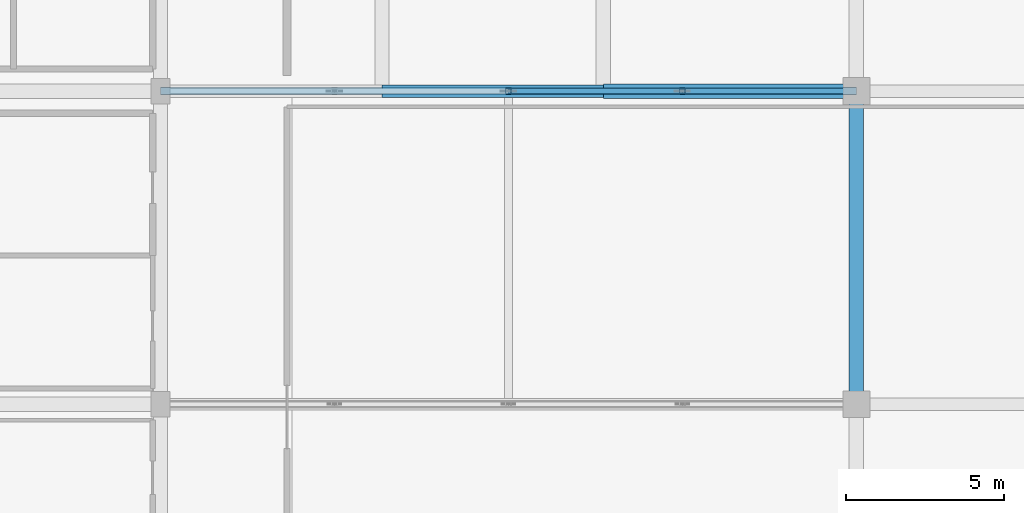
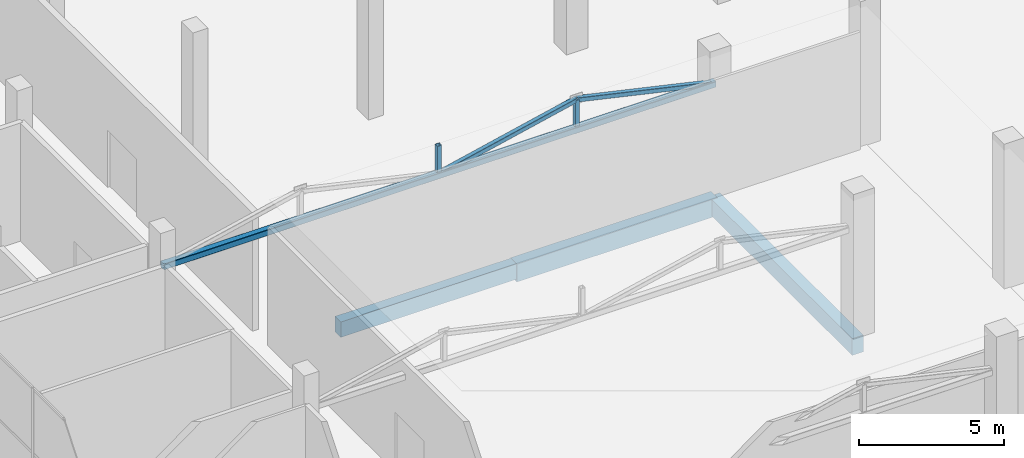
# One storey, part 19 of 46: 5 members, 3 beams.
"""IFC4 building model written with IfcOpenShell, lengths in metres."""

import ifcopenshell
import ifcopenshell.guid

model = None  # the IFC model being written
_history = None  # IfcOwnerHistory: only IFC2X3 demands one
_inside = {}  # id of a spatial element -> (the spatial element, [elements in it])
_under = {}  # id of a project, library or spatial element -> (it, [spatial elements below it])
_declared = {}  # id of a project -> (the project, [libraries it declares])
_typed = {}  # id of a type object -> (the type object, [elements of that type])
_made_of = {}  # id of a material, layer set ... -> (it, [elements and type objects made of it])


def new_model(schema):
    """Start an empty IFC model of exactly this schema.

    Asked for "IFC4X3", IfcOpenShell would pick the latest addendum, in which some entities
    have other attributes; the version numbers below select the first issue.
    IFC2X3 requires an IfcOwnerHistory on every rooted entity: one is made here for all.
    """
    global model, _history
    if schema == "IFC4X3":
        model = ifcopenshell.file(schema_version=(4, 3, 0, 0))
    else:
        model = ifcopenshell.file(schema=schema)
    _inside.clear()
    _under.clear()
    _declared.clear()
    _typed.clear()
    _made_of.clear()
    _history = None
    if model.schema == "IFC2X3":
        org = make("IfcOrganization", Name="unknown")
        user = make(
            "IfcPersonAndOrganization",
            ThePerson=make("IfcPerson", FamilyName="unknown"),
            TheOrganization=org,
        )
        app = make(
            "IfcApplication",
            ApplicationDeveloper=org,
            Version="unknown",
            ApplicationFullName="unknown",
            ApplicationIdentifier="unknown",
        )
        _history = make(
            "IfcOwnerHistory",
            OwningUser=user,
            OwningApplication=app,
            ChangeAction="ADDED",
            CreationDate=0,
        )
    return model


def make(cls, **values):
    """One entity of the class cls with the attributes given. An attribute that is None is left unset."""
    return model.create_entity(
        cls, **{name: value for name, value in values.items() if value is not None}
    )


def rooted(cls, **values):
    """An entity with a GlobalId (a new one), such as an element, a storey or a relation."""
    return make(cls, GlobalId=ifcopenshell.guid.new(), OwnerHistory=_history, **values)


def si_unit(unit_type, name, prefix=None):
    """IfcSIUnit, for example si_unit("LENGTHUNIT", "METRE", prefix="MILLI")."""
    return make("IfcSIUnit", UnitType=unit_type, Prefix=prefix, Name=name)


def assignment(units):
    """IfcUnitAssignment: the units of a project."""
    return None if units is None else make("IfcUnitAssignment", Units=units)


def point(xyz):
    """IfcCartesianPoint."""
    return None if xyz is None else make("IfcCartesianPoint", Coordinates=xyz)


def direction(xyz):
    """IfcDirection."""
    return None if xyz is None else make("IfcDirection", DirectionRatios=xyz)


def frame(location, z_axis=None, x_axis=None):
    """IfcAxis2Placement3D, a coordinate frame: its origin and axes. An axis left out is left unset."""
    return make(
        "IfcAxis2Placement3D",
        Location=point(location),
        Axis=direction(z_axis),
        RefDirection=direction(x_axis),
    )


def frame_2d(location, x_axis=None):
    """IfcAxis2Placement2D, a coordinate frame in the plane: its origin and x axis."""
    return make(
        "IfcAxis2Placement2D", Location=point(location), RefDirection=direction(x_axis)
    )


def origin():
    """The frame at (0, 0, 0) with its axes left unset."""
    return frame((0.0, 0.0, 0.0))


def origin_2d():
    """The frame at (0, 0) in the plane with its x axis left unset."""
    return frame_2d((0.0, 0.0))


def place(relative_to, where):
    """IfcLocalPlacement: puts the frame where relative to a parent placement (None: the world)."""
    return make(
        "IfcLocalPlacement", PlacementRelTo=relative_to, RelativePlacement=where
    )


def context(
    kind, dimensions, precision=None, world=None, true_north=None, identifier=None
):
    """IfcGeometricRepresentationContext, for example the 3D "Model" context."""
    return make(
        "IfcGeometricRepresentationContext",
        ContextIdentifier=identifier,
        ContextType=kind,
        CoordinateSpaceDimension=dimensions,
        Precision=precision,
        WorldCoordinateSystem=world,
        TrueNorth=true_north,
    )


def subcontext(parent, identifier, kind, view, scale=None):
    """IfcGeometricRepresentationSubContext, for example "Body" below "Model"."""
    return make(
        "IfcGeometricRepresentationSubContext",
        ContextIdentifier=identifier,
        ContextType=kind,
        ParentContext=parent,
        TargetScale=scale,
        TargetView=view,
    )


def project(units=None, contexts=None):
    """IfcProject with its units and contexts."""
    return rooted(
        "IfcProject",
        Name="project",
        RepresentationContexts=contexts,
        UnitsInContext=assignment(units),
    )


def spatial(cls, under=None, at=None, **own):
    """A site, building, storey or space (cls), placed at a placement, below another one or the project."""
    s = rooted(cls, ObjectPlacement=at, **own)
    if under is not None:
        _under.setdefault(under.id(), (under, []))[1].append(s)
    return s


def profile(cls, at=None, kind="AREA", **sizes):
    """A parametric profile (cls). Its sizes go by their IFC names, for example OverallWidth=200.0."""
    return make(cls, ProfileType=kind, Position=at, **sizes)


def rectangle(**sizes):
    """IfcRectangleProfileDef."""
    return profile("IfcRectangleProfileDef", **sizes)


def hollow_rectangle(**sizes):
    """IfcRectangleHollowProfileDef."""
    return profile("IfcRectangleHollowProfileDef", **sizes)


def extrude(swept, where, along, depth):
    """IfcExtrudedAreaSolid: the profile swept, set in the frame where, extruded along a direction by depth."""
    return make(
        "IfcExtrudedAreaSolid",
        SweptArea=swept,
        Position=where,
        ExtrudedDirection=direction(along),
        Depth=depth,
    )


def shape(context_of_items, identifier, shape_type, items):
    """IfcShapeRepresentation: the items that make up one representation, for example the "Body"."""
    return make(
        "IfcShapeRepresentation",
        ContextOfItems=context_of_items,
        RepresentationIdentifier=identifier,
        RepresentationType=shape_type,
        Items=items,
    )


def material(Name=None, Category=None):
    """IfcMaterial."""
    return make("IfcMaterial", Name=Name, Category=Category)


def material_profile(
    of_material, cross_section, Name=None, Category=None, Priority=None
):
    """IfcMaterialProfile: a cross section and its material."""
    return make(
        "IfcMaterialProfile",
        Name=Name,
        Material=of_material,
        Profile=cross_section,
        Priority=Priority,
        Category=Category,
    )


def profile_set(profiles, Name=None, composite=None):
    """IfcMaterialProfileSet."""
    return make(
        "IfcMaterialProfileSet",
        Name=Name,
        MaterialProfiles=profiles,
        CompositeProfile=composite,
    )


def made_of(thing, what):
    """Note that an element or type object is made of a material, layer set ...; save() writes the relation."""
    if what is not None:
        _made_of.setdefault(what.id(), (what, []))[1].append(thing)
    return thing


def type_object(cls, material=None, **own):
    """A type object (cls), such as IfcWallType, which elements share."""
    return made_of(rooted(cls, **own), material)


def element(
    cls,
    number,
    at=None,
    inside=None,
    cuts=None,
    type_object=None,
    material=None,
    context=None,
    identifier="Body",
    shape_type=None,
    held_by="IfcProductDefinitionShape",
    body=None,
    shapes=None,
    **own,
):
    """One element of the class cls, such as IfcWall. Its Tag is "e" and its number.

    at: its placement. inside: the storey or other place that contains it. cuts: it is an
    opening in that element (IfcRelVoidsElement). A single representation is given by context,
    identifier, shape_type and body (its items); several are given by shapes. held_by: the class
    of the entity that holds the representations. save() writes the other relations.
    """
    e = rooted(cls, Tag="e%d" % number, ObjectPlacement=at, **own)
    if body is not None:
        shapes = [shape(context, identifier, shape_type, body)]
    if shapes is not None:
        e.Representation = make(held_by, Representations=shapes)
    if inside is not None:
        _inside.setdefault(inside.id(), (inside, []))[1].append(e)
    if cuts is not None:
        rooted(
            "IfcRelVoidsElement", RelatingBuildingElement=cuts, RelatedOpeningElement=e
        )
    if type_object is not None:
        _typed.setdefault(type_object.id(), (type_object, []))[1].append(e)
    return made_of(e, material)


def aggregate(whole, parts):
    """IfcRelAggregates: a whole, such as a stair, and the parts it consists of."""
    return rooted("IfcRelAggregates", RelatingObject=whole, RelatedObjects=parts)


def save(model, path):
    """Write the relations noted so far, then the file.

    IfcRelAggregates (storeys below a building ...), IfcRelContainedInSpatialStructure (elements
    in a storey), IfcRelDefinesByType, IfcRelAssociatesMaterial and IfcRelDeclares: one each for
    every whole, place, type object, material and project.
    """
    for whole, parts in _under.values():
        aggregate(whole, parts)
    for where, things in _inside.values():
        rooted(
            "IfcRelContainedInSpatialStructure",
            RelatedElements=things,
            RelatingStructure=where,
        )
    for kind, things in _typed.values():
        rooted("IfcRelDefinesByType", RelatedObjects=things, RelatingType=kind)
    for what, things in _made_of.values():
        rooted("IfcRelAssociatesMaterial", RelatedObjects=things, RelatingMaterial=what)
    for by, libraries in _declared.values():
        rooted("IfcRelDeclares", RelatingContext=by, RelatedDefinitions=libraries)
    model.write(path)


model = new_model("IFC4")

# Units and contexts
model_context = context("Model", 3, precision=1e-05, world=origin(), true_north=direction((0.0, 1.0)))
body_context = subcontext(model_context, "Body", "Model", "MODEL_VIEW")
ifc_project = project(units=[si_unit("LENGTHUNIT", "METRE"), si_unit("AREAUNIT", "SQUARE_METRE"), si_unit("VOLUMEUNIT", "CUBIC_METRE"), si_unit("PLANEANGLEUNIT", "RADIAN"), si_unit("MASSUNIT", "GRAM", prefix="KILO")], contexts=[model_context])

# Site, building, storey
site_placement = place(None, origin())
site = spatial("IfcSite", under=ifc_project, at=site_placement, CompositionType="ELEMENT")
building_placement = place(site_placement, origin())
building = spatial("IfcBuilding", under=site, at=building_placement, Name="Sillaruma Civic Art Gallery", CompositionType="ELEMENT")
storey_placement = place(building_placement, frame((0.0, 0.0, 16.320068359375)))
storey = spatial("IfcBuildingStorey", under=building, at=storey_placement, Name="L03", CompositionType="ELEMENT", Elevation=16.320068359375)

# Beams
ifc_material_1 = material(Name="Concrete H35 (35 MPa)", Category="concrete")
ifc_material_profile_1 = material_profile(ifc_material_1, rectangle(XDim=0.39990234375, YDim=0.64990234375, at=origin_2d()), Name="RCB400x650")
ifc_profile_set_1 = profile_set([ifc_material_profile_1], Name="Concrete H35 (35 MPa)")
beam_type_1 = type_object("IfcBeamType", Name="BM-BEAM-RCB400x650", PredefinedType="BEAM", material=ifc_profile_set_1)
beam_1_placement = place(storey_placement, frame((77.0, 69.300048828125, -0.60498046875), z_axis=(1.0, 0.0, 0.0), x_axis=(0.0, 1.0, 0.0)))
element("IfcBeam", 1, at=beam_1_placement, inside=storey, type_object=beam_type_1, Name="Beam BM-05 (L02:8:H-J)", PredefinedType="BEAM", context=body_context, shape_type="SweptSolid", body=[
    extrude(rectangle(XDim=0.39990234375, YDim=0.64990234375, at=origin_2d()), origin(), (0.0, 0.0, 1.0), 7.0),
])
ifc_material_2 = material(Name="Concrete H40 (40 MPa)", Category="concrete")
ifc_material_profile_2 = material_profile(ifc_material_2, rectangle(XDim=0.449951171875, YDim=0.75, at=origin_2d()), Name="RCB450x750")
ifc_profile_set_2 = profile_set([ifc_material_profile_2], Name="Concrete H40 (40 MPa)")
beam_type_2 = type_object("IfcBeamType", Name="BM-BEAM-RCB450x750", PredefinedType="BEAM", material=ifc_profile_set_2)
beam_2_placement = place(storey_placement, frame((84.0, 69.300048828125, -0.655029296875), z_axis=(1.0, 0.0, 0.0), x_axis=(0.0, 1.0, 0.0)))
element("IfcBeam", 2, at=beam_2_placement, inside=storey, type_object=beam_type_2, Name="Beam BM-03 (L02:8:J-K)", PredefinedType="BEAM", context=body_context, shape_type="SweptSolid", body=[
    extrude(rectangle(XDim=0.449951171875, YDim=0.75, at=origin_2d()), origin(), (0.0, 0.0, 1.0), 8.0),
])
ifc_material_profile_3 = material_profile(ifc_material_1, rectangle(XDim=0.449951171875, YDim=0.699951171875, at=origin_2d()), Name="RCB450x700")
ifc_profile_set_3 = profile_set([ifc_material_profile_3], Name="Concrete H35 (35 MPa)")
beam_type_3 = type_object("IfcBeamType", Name="BM-SPANDREL-RCB450x700", PredefinedType="SPANDREL", material=ifc_profile_set_3)
beam_3_placement = place(storey_placement, frame((92.0, 59.39990234375, -0.630126953125), z_axis=(0.0, 1.0, 0.0), x_axis=(-1.0, 0.0, 0.0)))
element("IfcBeam", 3, at=beam_3_placement, inside=storey, type_object=beam_type_3, Name="Beam BS-03 (L02:K:7-8)", PredefinedType="SPANDREL", context=body_context, shape_type="SweptSolid", body=[
    extrude(rectangle(XDim=0.449951171875, YDim=0.699951171875, at=origin_2d()), origin(), (0.0, 0.0, 1.0), 9.900146484375),
])

# Members
ifc_material_3 = material(Name="Structural Steel ASTM A500 Gr.C", Category="steel")
ifc_material_profile_4 = material_profile(ifc_material_3, hollow_rectangle(XDim=0.179931640625, YDim=0.179931640625, WallThickness=0.010009765625, InnerFilletRadius=0.010009765625, OuterFilletRadius=0.02001953125, at=origin_2d()), Name="HSS180x180x10")
ifc_profile_set_4 = profile_set([ifc_material_profile_4], Name="Structural Steel ASTM A500 Gr.C")
member_type_1 = type_object("IfcMemberType", Name="MEM-BRACE-HSS180x180x10", PredefinedType="BRACE", material=ifc_profile_set_4)
for number, where, z_axis, x_axis, name in (
    (4, (81.0, 69.300048828125, 4.434814453125), (0.975552224414, 0.0, 0.219767735214), (0.0, 1.0, 0.0), "Warren Truss Diagonal TR-L03-3-D3"),
    (5, (86.5, 69.300048828125, 5.673828125), (0.975552224414, 0.0, -0.219767735214), (0.0, 1.0, 0.0), "Warren Truss Diagonal TR-L03-3-D4"),
):
    element("IfcMember", number, at=place(storey_placement, frame(where, z_axis=z_axis, x_axis=x_axis)), inside=storey, type_object=member_type_1, Name=name, PredefinedType="BRACE", context=body_context, shape_type="SweptSolid", body=[
        extrude(hollow_rectangle(XDim=0.179931640625, YDim=0.179931640625, WallThickness=0.010009765625, InnerFilletRadius=0.010009765625, OuterFilletRadius=0.02001953125, at=origin_2d()), origin(), (0.0, 0.0, 1.0), 5.637939453125),
    ])
ifc_material_profile_5 = material_profile(ifc_material_3, hollow_rectangle(XDim=0.25, YDim=0.25, WallThickness=0.012451171875, InnerFilletRadius=0.012451171875, OuterFilletRadius=0.02490234375, at=origin_2d()), Name="HSS250x250x12.5")
ifc_profile_set_5 = profile_set([ifc_material_profile_5], Name="Structural Steel ASTM A500 Gr.C")
member_type_2 = type_object("IfcMemberType", Name="MEM-CHORD-HSS250x250x12.5", PredefinedType="CHORD", material=ifc_profile_set_5)
member_placement = place(storey_placement, frame((70.0, 69.300048828125, 4.434814453125), z_axis=(1.0, 0.0, 0.0), x_axis=(0.0, 1.0, 0.0)))
element("IfcMember", 6, at=member_placement, inside=storey, type_object=member_type_2, Name="Warren Truss Bottom Chord TR-L03-3", PredefinedType="CHORD", context=body_context, shape_type="SweptSolid", body=[
    extrude(hollow_rectangle(XDim=0.25, YDim=0.25, WallThickness=0.012451171875, InnerFilletRadius=0.012451171875, OuterFilletRadius=0.02490234375, at=origin_2d()), origin(), (0.0, 0.0, 1.0), 22.0),
])
ifc_material_profile_6 = material_profile(ifc_material_3, hollow_rectangle(XDim=0.179931640625, YDim=0.179931640625, WallThickness=0.010009765625, InnerFilletRadius=0.010009765625, OuterFilletRadius=0.02001953125, at=origin_2d()), Name="HSS180x180x10")
ifc_profile_set_6 = profile_set([ifc_material_profile_6], Name="Structural Steel ASTM A500 Gr.C")
member_type_3 = type_object("IfcMemberType", Name="MEM-POST-HSS180x180x10", PredefinedType="POST", material=ifc_profile_set_6)
for number, where, z_axis, x_axis, name in (
    (7, (81.0, 69.300048828125, 4.434814453125), (0.0, 0.0, 1.0), (1.0, 0.0, 0.0), "Warren Truss Vertical Post TR-L03-3-V2"),
    (8, (86.5, 69.300048828125, 4.434814453125), (0.0, 0.0, 1.0), (1.0, 0.0, 0.0), "Warren Truss Vertical Post TR-L03-3-V3"),
):
    element("IfcMember", number, at=place(storey_placement, frame(where, z_axis=z_axis, x_axis=x_axis)), inside=storey, type_object=member_type_3, Name=name, PredefinedType="POST", context=body_context, shape_type="SweptSolid", body=[
        extrude(hollow_rectangle(XDim=0.179931640625, YDim=0.179931640625, WallThickness=0.010009765625, InnerFilletRadius=0.010009765625, OuterFilletRadius=0.02001953125, at=origin_2d()), origin(), (0.0, 0.0, 1.0), 1.239013671875),
    ])

save(model, "model.ifc")
